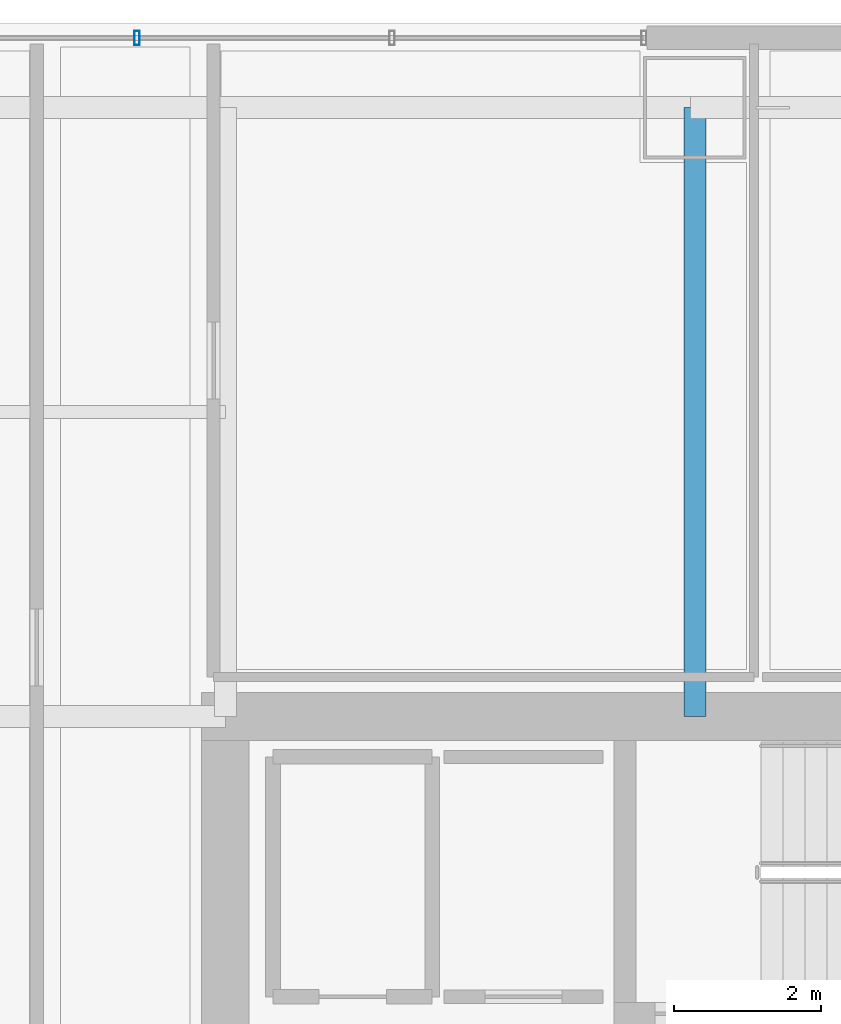
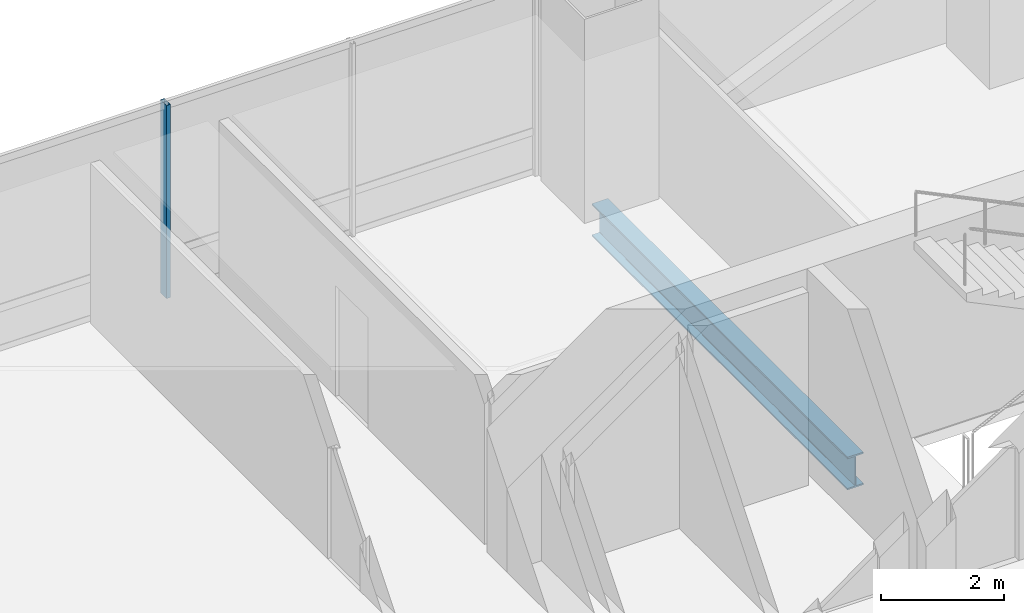
# One storey, part 21 of 38: 1 beam, 1 member, 1 element without a shape of its own.
"""IFC4 building model written with IfcOpenShell, lengths in metres."""

from ifc_helpers import new_model, si_unit, direction, frame, origin, origin_2d, place, context, subcontext, project, spatial, hollow_rectangle, i_section, extrude, material, material_profile, profile_set, type_object, element, aggregate, save


model = new_model("IFC4")

# Units and contexts
model_context = context("Model", 3, precision=1e-05, world=origin(), true_north=direction((0.0, 1.0)))
body_context = subcontext(model_context, "Body", "Model", "MODEL_VIEW")
ifc_project = project(units=[si_unit("LENGTHUNIT", "METRE"), si_unit("AREAUNIT", "SQUARE_METRE"), si_unit("VOLUMEUNIT", "CUBIC_METRE"), si_unit("PLANEANGLEUNIT", "RADIAN"), si_unit("MASSUNIT", "GRAM", prefix="KILO")], contexts=[model_context])

# Site, building, storey
site_placement = place(None, origin())
site = spatial("IfcSite", under=ifc_project, at=site_placement, CompositionType="ELEMENT")
building_placement = place(site_placement, origin())
building = spatial("IfcBuilding", under=site, at=building_placement, Name="Punatoya Terracotta Tower", CompositionType="ELEMENT")
storey_placement = place(building_placement, frame((0.0, 0.0, 188.39990234375)))
storey = spatial("IfcBuildingStorey", under=building, at=storey_placement, Name="L44", CompositionType="ELEMENT", Elevation=188.39990234375)

# Beam
ifc_material_1 = material(Name="Steel S355", Category="steel")
ifc_material_profile_1 = material_profile(ifc_material_1, i_section(OverallWidth=0.300048828125, OverallDepth=0.64990234375, WebThickness=0.01611328125, FlangeThickness=0.031005859375, FilletRadius=0.01806640625, at=origin_2d()))
ifc_profile_set_1 = profile_set([ifc_material_profile_1], Name="Steel S355")
beam_type = type_object("IfcBeamType", Name="BM-PRI-650", PredefinedType="BEAM", material=ifc_profile_set_1)
beam_placement = place(storey_placement, frame((-3.800048828125, 9.199951171875, -0.544921875), z_axis=(0.0, 1.0, 0.0), x_axis=(-1.0, 0.0, 0.0)))
element("IfcBeam", 1, at=beam_placement, inside=storey, type_object=beam_type, Name="BM-L44-PR-N2", PredefinedType="BEAM", context=body_context, shape_type="SweptSolid", body=[
    extrude(i_section(OverallWidth=0.300048828125, OverallDepth=0.64990234375, WebThickness=0.01611328125, FlangeThickness=0.031005859375, FilletRadius=0.01806640625, at=origin_2d()), origin(), (0.0, 0.0, 1.0), 8.300048828125),
])

# Curtain wall, member
ifc_material_2 = material(Name="Aluminium 6063-T6 + Double Low-E Glass", Category="aluminium")
curtain_wall_type = type_object("IfcCurtainWallType", Name="CW-M2", PredefinedType="NOTDEFINED", material=ifc_material_2)
curtain_wall_placement = place(storey_placement, origin())
curtain_wall = element("IfcCurtainWall", 2, at=curtain_wall_placement, inside=storey, type_object=curtain_wall_type, Name="L44 Curtain Wall CW-L44-N09-2", PredefinedType="NOTDEFINED")
ifc_material_3 = material(Name="Aluminium 6063-T6", Category="aluminium")
ifc_material_profile_2 = material_profile(ifc_material_3, hollow_rectangle(XDim=0.072021484375, YDim=0.195068359375, WallThickness=0.00439453125, at=origin_2d()))
ifc_profile_set_2 = profile_set([ifc_material_profile_2], Name="Aluminium 6063-T6")
member_type = type_object("IfcMemberType", Name="CW-MUL-M2", PredefinedType="MULLION", material=ifc_profile_set_2)
member_placement = place(storey_placement, frame((-11.40478515625, 18.449951171875, 0.0), z_axis=(0.0, 0.0, 1.0), x_axis=(1.0, 0.0, 0.0)))
member = element("IfcMember", 3, at=member_placement, type_object=member_type, Name="CW-L44-N09-2 Mullion 02", PredefinedType="MULLION", context=body_context, shape_type="SweptSolid", body=[
    extrude(hollow_rectangle(XDim=0.072021484375, YDim=0.195068359375, WallThickness=0.00439453125, at=origin_2d()), origin(), (0.0, 0.0, 1.0), 3.830078125),
])
aggregate(curtain_wall, [member])

save(model, "model.ifc")
